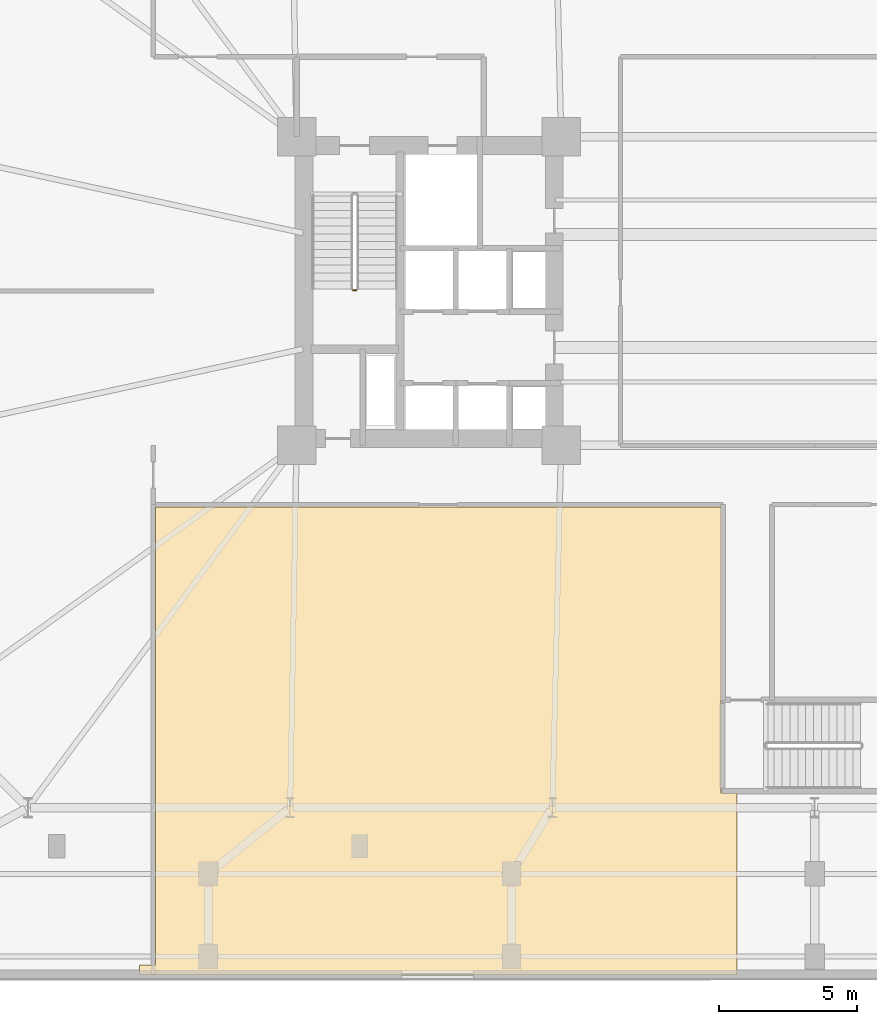
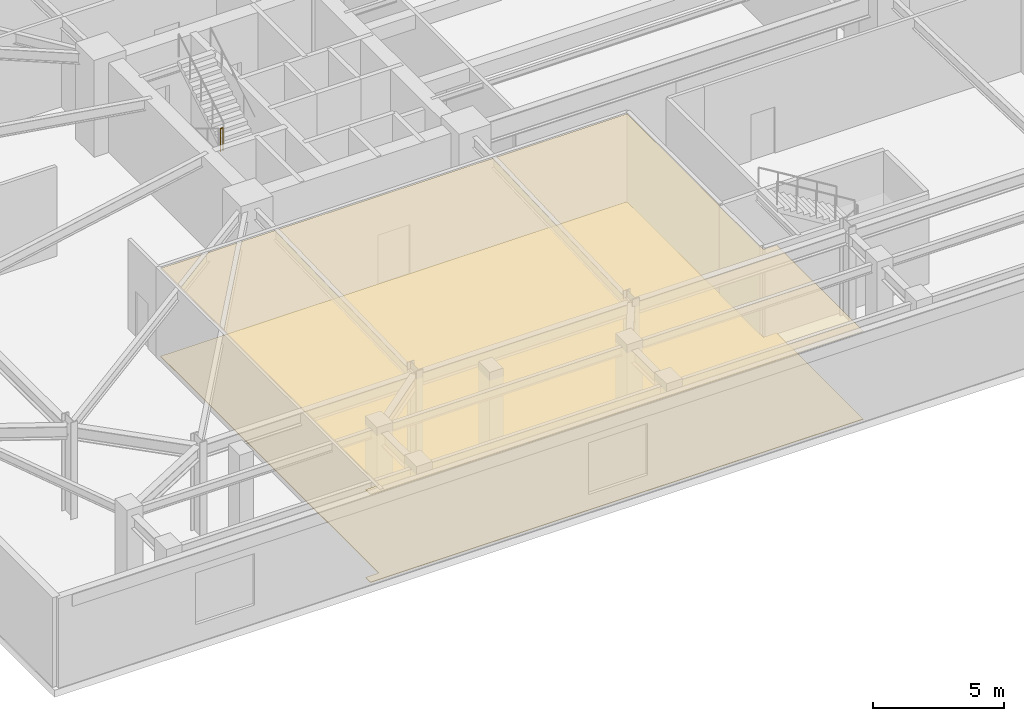
# One storey, part 19 of 23: 2 coverings, 1 railing.
"""IFC4 building model written with IfcOpenShell, lengths in metres."""

from ifc_helpers import new_model, si_unit, direction, frame, origin, origin_2d, place, context, subcontext, project, spatial, polyline, circle, outline, extrude, material, layer, layer_set, type_object, element, save


model = new_model("IFC4")

# Units and contexts
model_context = context("Model", 3, precision=1e-05, world=origin(), true_north=direction((0.0, 1.0)))
body_context = subcontext(model_context, "Body", "Model", "MODEL_VIEW")
ifc_project = project(units=[si_unit("LENGTHUNIT", "METRE"), si_unit("AREAUNIT", "SQUARE_METRE"), si_unit("VOLUMEUNIT", "CUBIC_METRE"), si_unit("PLANEANGLEUNIT", "RADIAN"), si_unit("MASSUNIT", "GRAM", prefix="KILO")], contexts=[model_context])

# Site, building, storey
site_placement = place(None, origin())
site = spatial("IfcSite", under=ifc_project, at=site_placement, CompositionType="ELEMENT")
building_placement = place(site_placement, origin())
building = spatial("IfcBuilding", under=site, at=building_placement, Name="Qobustan Lattice House", CompositionType="ELEMENT")
storey_placement = place(building_placement, frame((0.0, 0.0, 9.0)))
storey = spatial("IfcBuildingStorey", under=building, at=storey_placement, Name="L02", CompositionType="ELEMENT", Elevation=9.0)

# Coverings
ifc_material_1 = material(Name="Perforated gypsum acoustic ceiling", Category="gypsum")
ifc_layer_1 = layer(ifc_material_1, 0.030029296875)
ifc_layer_set_1 = layer_set([ifc_layer_1], Name="Perforated gypsum acoustic ceiling")
covering_type_1 = type_object("IfcCoveringType", Name="COV-ACOUSTIC-CEIL", PredefinedType="CEILING", material=ifc_layer_set_1)
covering_1_placement = place(storey_placement, frame((0.0, 0.0, 4.080078125)))
element("IfcCovering", 1, at=covering_1_placement, inside=storey, type_object=covering_type_1, Name="L02 Acoustic lecture theatre acoustic ceiling", PredefinedType="CEILING", context=body_context, shape_type="SweptSolid", body=[
    extrude(outline(polyline([(-3.39990234375, -18.219970703125), (-3.39990234375, -7.830078125), (-23.919921875, -7.830078125), (-23.919921875, -24.4599609375), (-24.5, -24.4599609375), (-24.5, -24.830078125), (-2.820068359375, -24.830078125), (-2.820068359375, -18.219970703125), (-3.39990234375, -18.219970703125)])), origin(), (0.0, 0.0, 1.0), 0.030029296875),
])
ifc_material_2 = material(Name="Honed Absheron stone terrazzo flooring", Category="masonry")
ifc_layer_2 = layer(ifc_material_2, 0.02490234375)
ifc_layer_set_2 = layer_set([ifc_layer_2], Name="Honed Absheron stone terrazzo flooring")
covering_type_2 = type_object("IfcCoveringType", Name="COV-TERRAZZO-FLR", PredefinedType="FLOORING", material=ifc_layer_set_2)
covering_2_placement = place(storey_placement, origin())
element("IfcCovering", 2, at=covering_2_placement, inside=storey, type_object=covering_type_2, Name="L02 Acoustic lecture theatre stone terrazzo flooring", PredefinedType="FLOORING", context=body_context, shape_type="SweptSolid", body=[
    extrude(outline(polyline([(-3.39990234375, -18.219970703125), (-3.39990234375, -7.830078125), (-23.919921875, -7.830078125), (-23.919921875, -24.4599609375), (-24.5, -24.4599609375), (-24.5, -24.830078125), (-2.820068359375, -24.830078125), (-2.820068359375, -18.219970703125), (-3.39990234375, -18.219970703125)])), origin(), (0.0, 0.0, 1.0), 0.02490234375),
])

# Railing
ifc_material_3 = material(Name="Painted galvanized steel guardrail", Category="steel")
railing_type = type_object("IfcRailingType", Name="RAL-STG-1150", PredefinedType="GUARDRAIL", material=ifc_material_3)
railing_placement = place(storey_placement, frame((-16.75, 0.030029296875, 2.25)))
element("IfcRailing", 3, at=railing_placement, inside=storey, type_object=railing_type, Name="L02 ST-W1 stair guard 2", PredefinedType="GUARDRAIL", context=body_context, shape_type="SweptSolid", body=[
    extrude(circle(Radius=0.02392578125, at=origin_2d()), frame((0.0, 0.0, 1.076171875), z_axis=(1.0, 0.0, 0.0), x_axis=(0.0, 1.0, 0.0)), (0.0, 0.0, 1.0), 0.1201171875),
    extrude(circle(Radius=0.02099609375, at=origin_2d()), origin(), (0.0, 0.0, 1.0), 1.052001953125),
    extrude(circle(Radius=0.02099609375, at=origin_2d()), frame((0.1201171875, 0.0, 0.0)), (0.0, 0.0, 1.0), 1.052001953125),
])

save(model, "model.ifc")
